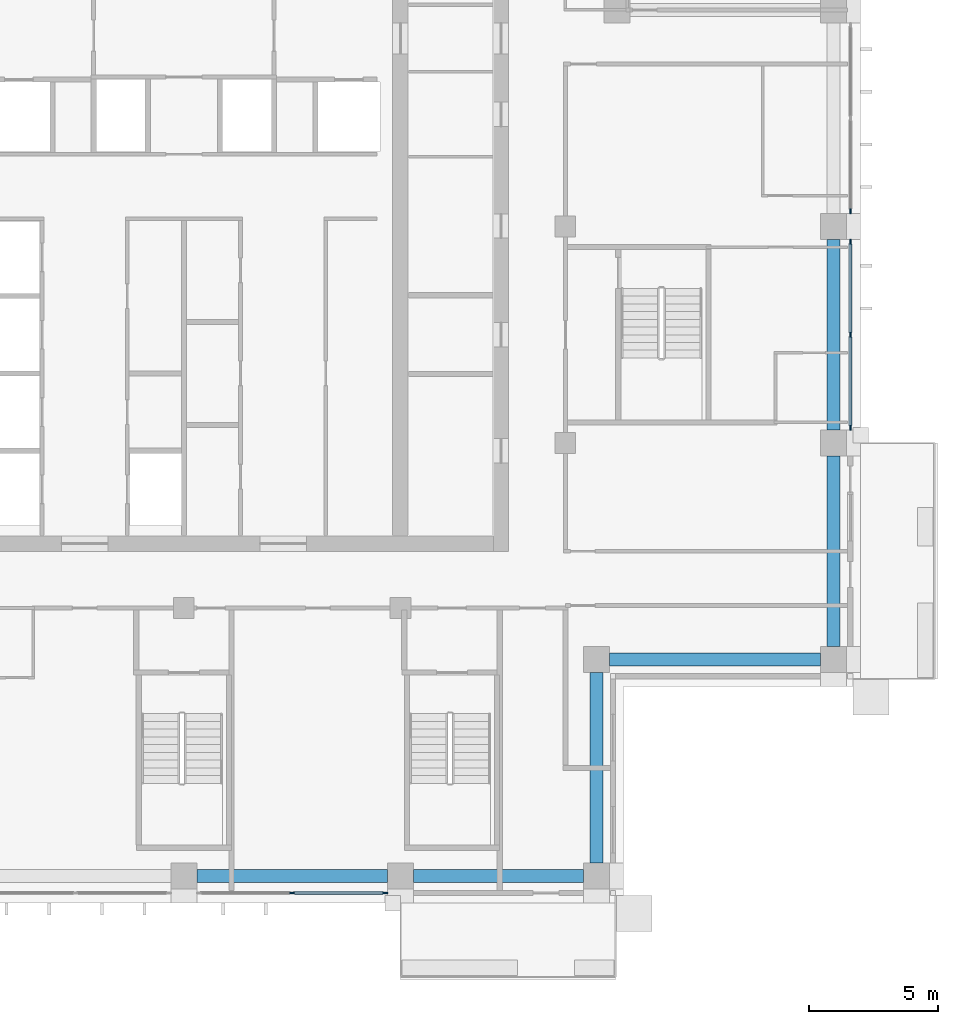
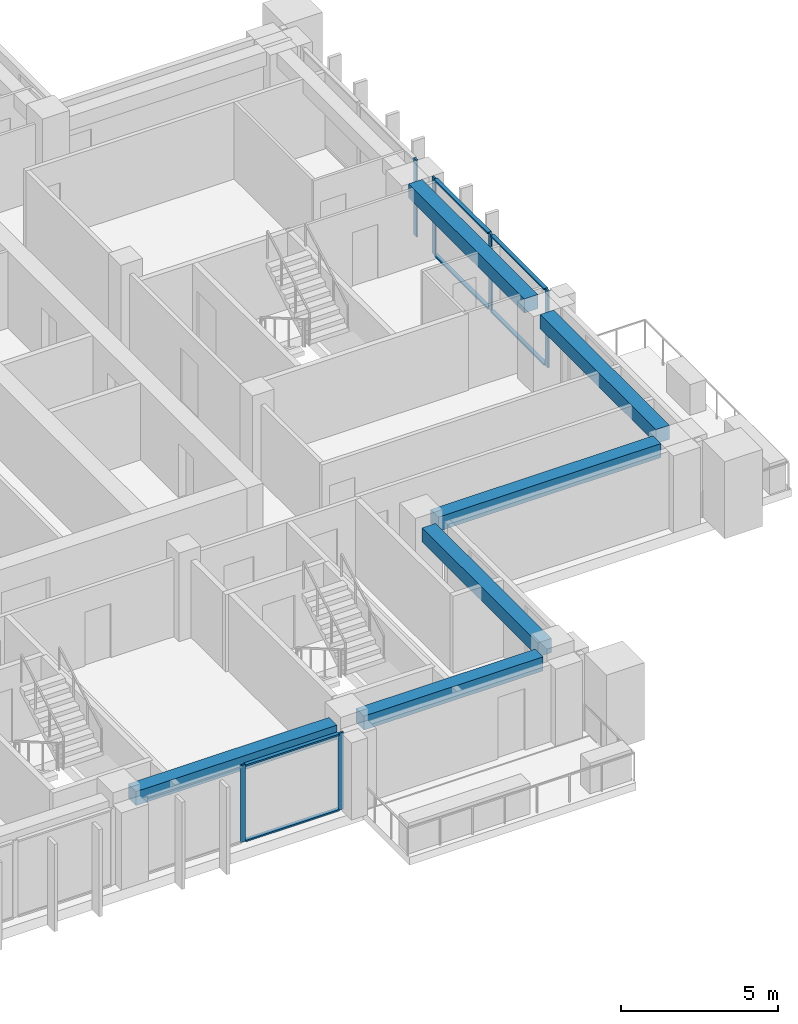
# One storey, part 4 of 19: 12 members, 6 beams, 3 elements without a shape of their own.
"""IFC4 building model written with IfcOpenShell, lengths in metres."""

from ifc_helpers import new_model, si_unit, direction, frame, origin, origin_2d, place, context, subcontext, project, spatial, rectangle, extrude, material, material_profile, profile_set, type_object, element, aggregate, save


model = new_model("IFC4")

# Units and contexts
model_context = context("Model", 3, precision=1e-05, world=origin(), true_north=direction((0.0, 1.0)))
body_context = subcontext(model_context, "Body", "Model", "MODEL_VIEW")
ifc_project = project(units=[si_unit("LENGTHUNIT", "METRE"), si_unit("AREAUNIT", "SQUARE_METRE"), si_unit("VOLUMEUNIT", "CUBIC_METRE"), si_unit("PLANEANGLEUNIT", "RADIAN"), si_unit("MASSUNIT", "GRAM", prefix="KILO")], contexts=[model_context])

# Site, building, storey
site_placement = place(None, origin())
site = spatial("IfcSite", under=ifc_project, at=site_placement, CompositionType="ELEMENT")
building_placement = place(site_placement, origin())
building = spatial("IfcBuilding", under=site, at=building_placement, Name="Vermilion Ogive Tower", CompositionType="ELEMENT")
storey_placement = place(building_placement, frame((0.0, 0.0, 213.5)))
storey = spatial("IfcBuildingStorey", under=building, at=storey_placement, Name="L56", CompositionType="ELEMENT", Elevation=213.5)

# Curtain wall, members
ifc_material_1 = material(Name="Low-iron laminated glazing in aluminium frame", Category="aluminium")
curtain_wall_type = type_object("IfcCurtainWallType", Name="Curtain wall CW7", PredefinedType="NOTDEFINED", material=ifc_material_1)
curtain_wall_1_placement = place(storey_placement, origin())
curtain_wall_1 = element("IfcCurtainWall", 1, at=curtain_wall_1_placement, inside=storey, type_object=curtain_wall_type, Name="Glazed skin S3", PredefinedType="NOTDEFINED")
ifc_material_2 = material(Name="Aluminium mullion", Category="aluminium")
ifc_material_profile_1 = material_profile(ifc_material_2, rectangle(XDim=0.06005859375, YDim=0.179931640625, at=origin_2d()), Name="AL 60x180")
ifc_profile_set_1 = profile_set([ifc_material_profile_1], Name="Aluminium mullion")
member_type_1 = type_object("IfcMemberType", Name="CW7 mullion 60x180", PredefinedType="MULLION", material=ifc_profile_set_1)
member_1_placement = place(storey_placement, frame((4.199951171875, -21.64990234375, 0.0), z_axis=(0.0, 0.0, 1.0), x_axis=(0.0, 1.0, 0.0)))
member_1 = element("IfcMember", 2, at=member_1_placement, type_object=member_type_1, Name="CW7-S3 mullion 2", PredefinedType="MULLION", context=body_context, shape_type="SweptSolid", body=[
    extrude(rectangle(XDim=0.06005859375, YDim=0.179931640625, at=origin_2d()), origin(), (0.0, 0.0, 1.0), 3.0),
])
member_2_placement = place(storey_placement, frame((7.81005859375, -21.64990234375, 0.0), z_axis=(0.0, 0.0, 1.0), x_axis=(0.0, 1.0, 0.0)))
member_2 = element("IfcMember", 3, at=member_2_placement, type_object=member_type_1, Name="CW7-S3 mullion 3", PredefinedType="MULLION", context=body_context, shape_type="SweptSolid", body=[
    extrude(rectangle(XDim=0.06005859375, YDim=0.179931640625, at=origin_2d()), origin(), (0.0, 0.0, 1.0), 3.0),
])

curtain_wall_2_placement = place(storey_placement, origin())
curtain_wall_2 = element("IfcCurtainWall", 4, at=curtain_wall_2_placement, inside=storey, type_object=curtain_wall_type, Name="Glazed skin E2", PredefinedType="NOTDEFINED")
member_3_placement = place(storey_placement, frame((25.85009765625, -3.610107421875, 0.0), z_axis=(0.0, 0.0, 1.0), x_axis=(-1.0, 0.0, 0.0)))
member_3 = element("IfcMember", 5, at=member_3_placement, type_object=member_type_1, Name="CW7-E2 mullion 1", PredefinedType="MULLION", context=body_context, shape_type="SweptSolid", body=[
    extrude(rectangle(XDim=0.06005859375, YDim=0.179931640625, at=origin_2d()), origin(), (0.0, 0.0, 1.0), 3.0),
])
member_4_placement = place(storey_placement, frame((25.85009765625, 0.0, 0.0), z_axis=(0.0, 0.0, 1.0), x_axis=(-1.0, 0.0, 0.0)))
member_4 = element("IfcMember", 6, at=member_4_placement, type_object=member_type_1, Name="CW7-E2 mullion 2", PredefinedType="MULLION", context=body_context, shape_type="SweptSolid", body=[
    extrude(rectangle(XDim=0.06005859375, YDim=0.179931640625, at=origin_2d()), origin(), (0.0, 0.0, 1.0), 3.0),
])
member_5_placement = place(storey_placement, frame((25.85009765625, 3.610107421875, 0.0), z_axis=(0.0, 0.0, 1.0), x_axis=(-1.0, 0.0, 0.0)))
member_5 = element("IfcMember", 7, at=member_5_placement, type_object=member_type_1, Name="CW7-E2 mullion 3", PredefinedType="MULLION", context=body_context, shape_type="SweptSolid", body=[
    extrude(rectangle(XDim=0.06005859375, YDim=0.179931640625, at=origin_2d()), origin(), (0.0, 0.0, 1.0), 3.0),
])

# Curtain wall, member
curtain_wall_3_placement = place(storey_placement, origin())
curtain_wall_3 = element("IfcCurtainWall", 8, at=curtain_wall_3_placement, inside=storey, type_object=curtain_wall_type, Name="Glazed skin E3", PredefinedType="NOTDEFINED")
member_6_placement = place(storey_placement, frame((25.85009765625, 4.7900390625, 0.0), z_axis=(0.0, 0.0, 1.0), x_axis=(-1.0, 0.0, 0.0)))
member_6 = element("IfcMember", 9, at=member_6_placement, type_object=member_type_1, Name="CW7-E3 mullion 1", PredefinedType="MULLION", context=body_context, shape_type="SweptSolid", body=[
    extrude(rectangle(XDim=0.06005859375, YDim=0.179931640625, at=origin_2d()), origin(), (0.0, 0.0, 1.0), 3.0),
])
aggregate(curtain_wall_3, [member_6])

# Member
ifc_material_3 = material(Name="Aluminium transom", Category="aluminium")
ifc_material_profile_2 = material_profile(ifc_material_3, rectangle(XDim=0.139892578125, YDim=0.06005859375, at=origin_2d()), Name="AL 60x140")
ifc_profile_set_2 = profile_set([ifc_material_profile_2], Name="Aluminium transom")
member_type_2 = type_object("IfcMemberType", Name="CW7 transom 60x140", PredefinedType="USERDEFINED", material=ifc_profile_set_2)
member_7_placement = place(storey_placement, frame((4.2900390625, -21.64990234375, 0.030029296875), z_axis=(1.0, 0.0, 0.0), x_axis=(0.0, 1.0, 0.0)))
member_7 = element("IfcMember", 10, at=member_7_placement, type_object=member_type_2, Name="CW7-S3 transom 2.1", ObjectType="TRANSOM", PredefinedType="USERDEFINED", context=body_context, shape_type="SweptSolid", body=[
    extrude(rectangle(XDim=0.139892578125, YDim=0.06005859375, at=origin_2d()), origin(), (0.0, 0.0, 1.0), 3.429931640625),
])

member_8_placement = place(storey_placement, frame((4.2900390625, -21.64990234375, 2.969970703125), z_axis=(1.0, 0.0, 0.0), x_axis=(0.0, 1.0, 0.0)))
member_8 = element("IfcMember", 11, at=member_8_placement, type_object=member_type_2, Name="CW7-S3 transom 2.2", ObjectType="TRANSOM", PredefinedType="USERDEFINED", context=body_context, shape_type="SweptSolid", body=[
    extrude(rectangle(XDim=0.139892578125, YDim=0.06005859375, at=origin_2d()), origin(), (0.0, 0.0, 1.0), 3.429931640625),
])

aggregate(curtain_wall_1, [member_1, member_2, member_7, member_8])

member_9_placement = place(storey_placement, frame((25.85009765625, -3.52001953125, 0.030029296875), z_axis=(0.0, 1.0, 0.0), x_axis=(-1.0, 0.0, 0.0)))
member_9 = element("IfcMember", 12, at=member_9_placement, type_object=member_type_2, Name="CW7-E2 transom 1.1", ObjectType="TRANSOM", PredefinedType="USERDEFINED", context=body_context, shape_type="SweptSolid", body=[
    extrude(rectangle(XDim=0.139892578125, YDim=0.06005859375, at=origin_2d()), origin(), (0.0, 0.0, 1.0), 3.429931640625),
])

member_10_placement = place(storey_placement, frame((25.85009765625, -3.52001953125, 2.969970703125), z_axis=(0.0, 1.0, 0.0), x_axis=(-1.0, 0.0, 0.0)))
member_10 = element("IfcMember", 13, at=member_10_placement, type_object=member_type_2, Name="CW7-E2 transom 1.2", ObjectType="TRANSOM", PredefinedType="USERDEFINED", context=body_context, shape_type="SweptSolid", body=[
    extrude(rectangle(XDim=0.139892578125, YDim=0.06005859375, at=origin_2d()), origin(), (0.0, 0.0, 1.0), 3.429931640625),
])

member_11_placement = place(storey_placement, frame((25.85009765625, 0.090087890625, 0.030029296875), z_axis=(0.0, 1.0, 0.0), x_axis=(-1.0, 0.0, 0.0)))
member_11 = element("IfcMember", 14, at=member_11_placement, type_object=member_type_2, Name="CW7-E2 transom 2.1", ObjectType="TRANSOM", PredefinedType="USERDEFINED", context=body_context, shape_type="SweptSolid", body=[
    extrude(rectangle(XDim=0.139892578125, YDim=0.06005859375, at=origin_2d()), origin(), (0.0, 0.0, 1.0), 3.429931640625),
])

member_12_placement = place(storey_placement, frame((25.85009765625, 0.090087890625, 2.969970703125), z_axis=(0.0, 1.0, 0.0), x_axis=(-1.0, 0.0, 0.0)))
member_12 = element("IfcMember", 15, at=member_12_placement, type_object=member_type_2, Name="CW7-E2 transom 2.2", ObjectType="TRANSOM", PredefinedType="USERDEFINED", context=body_context, shape_type="SweptSolid", body=[
    extrude(rectangle(XDim=0.139892578125, YDim=0.06005859375, at=origin_2d()), origin(), (0.0, 0.0, 1.0), 3.429931640625),
])

aggregate(curtain_wall_2, [member_3, member_4, member_5, member_9, member_10, member_11, member_12])

# Beams
ifc_material_4 = material(Name="Concrete B45", Category="concrete")
ifc_material_profile_3 = material_profile(ifc_material_4, rectangle(XDim=0.5, YDim=0.550048828125, at=origin_2d()), Name="500 x 550")
ifc_profile_set_3 = profile_set([ifc_material_profile_3], Name="Concrete B45")
beam_type = type_object("IfcBeamType", Name="Edge beam 500 x 550 B45", PredefinedType="BEAM", material=ifc_profile_set_3)
beam_1_placement = place(storey_placement, frame((0.5, -21.0, 2.72509765625), z_axis=(1.0, 0.0, 0.0), x_axis=(0.0, 1.0, 0.0)))
element("IfcBeam", 16, at=beam_1_placement, inside=storey, type_object=beam_type, Name="L56-EB-3", PredefinedType="BEAM", context=body_context, shape_type="SweptSolid", body=[
    extrude(rectangle(XDim=0.5, YDim=0.550048828125, at=origin_2d()), origin(), (0.0, 0.0, 1.0), 7.39990234375),
])
beam_2_placement = place(storey_placement, frame((8.89990234375, -21.0, 2.72509765625), z_axis=(1.0, 0.0, 0.0), x_axis=(0.0, 1.0, 0.0)))
element("IfcBeam", 17, at=beam_2_placement, inside=storey, type_object=beam_type, Name="L56-EB-4", PredefinedType="BEAM", context=body_context, shape_type="SweptSolid", body=[
    extrude(rectangle(XDim=0.5, YDim=0.550048828125, at=origin_2d()), origin(), (0.0, 0.0, 1.0), 6.60009765625),
])
beam_3_placement = place(storey_placement, frame((16.0, -20.5, 2.72509765625), z_axis=(0.0, 1.0, 0.0), x_axis=(-1.0, 0.0, 0.0)))
element("IfcBeam", 18, at=beam_3_placement, inside=storey, type_object=beam_type, Name="L56-EB-5", PredefinedType="BEAM", context=body_context, shape_type="SweptSolid", body=[
    extrude(rectangle(XDim=0.5, YDim=0.550048828125, at=origin_2d()), origin(), (0.0, 0.0, 1.0), 7.39990234375),
])
beam_4_placement = place(storey_placement, frame((16.5, -12.60009765625, 2.72509765625), z_axis=(1.0, 0.0, 0.0), x_axis=(0.0, 1.0, 0.0)))
element("IfcBeam", 19, at=beam_4_placement, inside=storey, type_object=beam_type, Name="L56-EB-6", PredefinedType="BEAM", context=body_context, shape_type="SweptSolid", body=[
    extrude(rectangle(XDim=0.5, YDim=0.550048828125, at=origin_2d()), origin(), (0.0, 0.0, 1.0), 8.199951171875),
])
beam_5_placement = place(storey_placement, frame((25.199951171875, -12.10009765625, 2.72509765625), z_axis=(0.0, 1.0, 0.0), x_axis=(-1.0, 0.0, 0.0)))
element("IfcBeam", 20, at=beam_5_placement, inside=storey, type_object=beam_type, Name="L56-EB-7", PredefinedType="BEAM", context=body_context, shape_type="SweptSolid", body=[
    extrude(rectangle(XDim=0.5, YDim=0.550048828125, at=origin_2d()), origin(), (0.0, 0.0, 1.0), 7.400146484375),
])
beam_6_placement = place(storey_placement, frame((25.199951171875, -3.699951171875, 2.72509765625), z_axis=(0.0, 1.0, 0.0), x_axis=(-1.0, 0.0, 0.0)))
element("IfcBeam", 21, at=beam_6_placement, inside=storey, type_object=beam_type, Name="L56-EB-8", PredefinedType="BEAM", context=body_context, shape_type="SweptSolid", body=[
    extrude(rectangle(XDim=0.5, YDim=0.550048828125, at=origin_2d()), origin(), (0.0, 0.0, 1.0), 7.39990234375),
])

save(model, "model.ifc")
